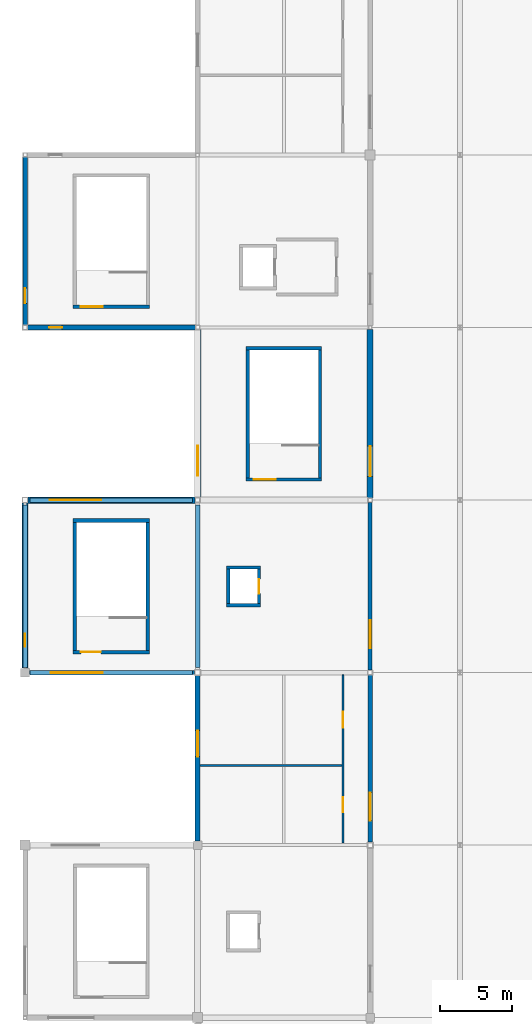
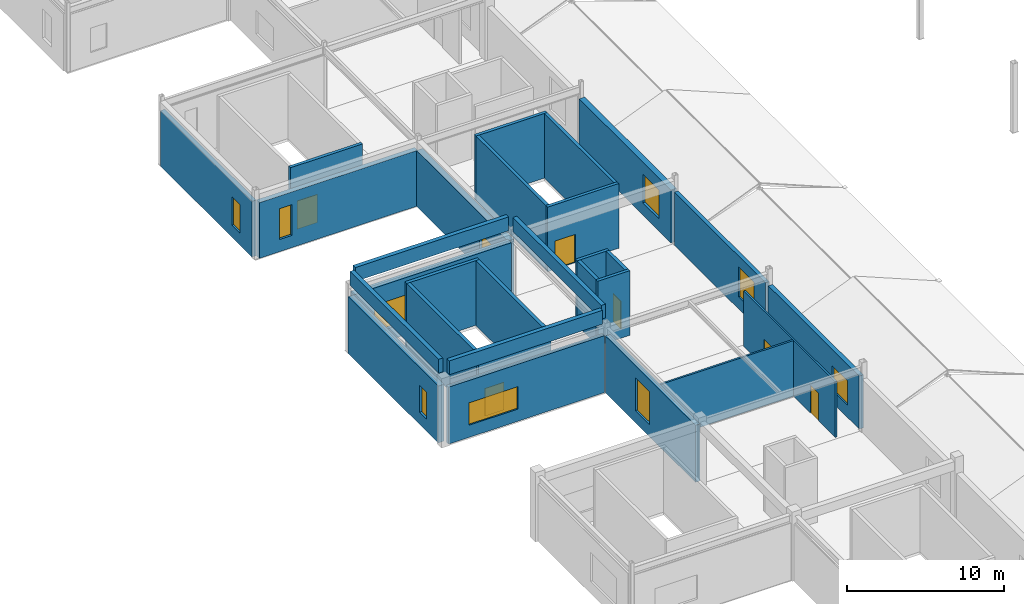
# One storey, part 64 of 76: 29 walls, 10 windows, 6 doors, 16 openings.
"""IFC4 building model written with IfcOpenShell, lengths in metres."""

from ifc_helpers import new_model, si_unit, direction, frame, frame_2d, origin, place, context, subcontext, project, spatial, rectangle, extrude, material, layer, layer_set, type_object, element, fill, save


model = new_model("IFC4")

# Units and contexts
model_context = context("Model", 3, precision=1e-05, world=origin(), true_north=direction((0.0, 1.0)))
body_context = subcontext(model_context, "Body", "Model", "MODEL_VIEW")
ifc_project = project(units=[si_unit("LENGTHUNIT", "METRE"), si_unit("AREAUNIT", "SQUARE_METRE"), si_unit("VOLUMEUNIT", "CUBIC_METRE"), si_unit("PLANEANGLEUNIT", "RADIAN"), si_unit("MASSUNIT", "GRAM", prefix="KILO")], contexts=[model_context])

# Site, building, storey
site_placement = place(None, origin())
site = spatial("IfcSite", under=ifc_project, at=site_placement, CompositionType="ELEMENT")
building_placement = place(site_placement, origin())
building = spatial("IfcBuilding", under=site, at=building_placement, Name="Kazenohara Klinker Stadium", CompositionType="ELEMENT")
storey_placement = place(building_placement, frame((0.0, 0.0, 25.800048828125)))
storey = spatial("IfcBuildingStorey", under=building, at=storey_placement, Name="L05", CompositionType="ELEMENT", Elevation=25.800048828125)

# Wall, opening, door
ifc_material_1 = material(Name="Concrete C40/50", Category="concrete")
ifc_layer_1 = layer(ifc_material_1, 0.22998046875)
ifc_layer_set_1 = layer_set([ifc_layer_1], Name="Concrete C40/50")
wall_type_1 = type_object("IfcWallType", Name="WAL-CORE-230", PredefinedType="SHEAR", material=ifc_layer_set_1)
wall_1_placement = place(storey_placement, frame((3.340087890625, 109.43505859375, 0.0), z_axis=(0.0, 0.0, 1.0), x_axis=(1.0, 0.0, 0.0)))
wall_1 = element("IfcWall", 1, at=wall_1_placement, inside=storey, type_object=wall_type_1, Name="Stairwell shear wall ST04 L05 South", PredefinedType="SHEAR", context=body_context, shape_type="SweptSolid", body=[
    extrude(rectangle(XDim=5.31982421875, YDim=0.22998046875, at=frame_2d((2.659912109375, 0.0))), origin(), (0.0, 0.0, 1.0), 5.0400390625),
])
opening_1_placement = place(wall_1_placement, frame((0.550048828125, 0.0, 0.0)))
opening_1 = element("IfcOpeningElement", 2, at=opening_1_placement, cuts=wall_1, Name="Opening SD02", PredefinedType="OPENING", context=body_context, shape_type="SweptSolid", body=[
    extrude(rectangle(XDim=1.5, YDim=2.199951171875, at=frame_2d((0.75, 1.10009765625))), frame((0.0, 0.125, 0.0), z_axis=(0.0, -1.0, 0.0), x_axis=(1.0, 0.0, 0.0)), (0.0, 0.0, 1.0), 0.25),
])
ifc_material_2 = material(Name="Flush painted steel fire door leaf", Category="steel")
door_type_1 = type_object("IfcDoorType", Name="DR-STR-1500x2200", OperationType="NOTDEFINED", PredefinedType="DOOR", material=ifc_material_2)
door_1_placement = place(opening_1_placement, origin())
door_1 = element("IfcDoor", 3, at=door_1_placement, inside=storey, type_object=door_type_1, Name="Escape stairwell fire door ST04-L05", OperationType="SINGLE_SWING_RIGHT", OverallHeight=2.199951171875, OverallWidth=1.5, PredefinedType="DOOR", context=body_context, shape_type="SweptSolid", body=[
    extrude(rectangle(XDim=1.5, YDim=2.199951171875, at=frame_2d((0.75, 1.10009765625))), frame((0.0, 0.02490234375, 0.0), z_axis=(0.0, -1.0, 0.0), x_axis=(1.0, 0.0, 0.0)), (0.0, 0.0, 1.0), 0.050048828125),
])
fill(opening_1, door_1)

wall_2_placement = place(storey_placement, frame((15.3701171875, 97.43505859375, 0.0), z_axis=(0.0, 0.0, 1.0), x_axis=(1.0, 0.0, 0.0)))
wall_2 = element("IfcWall", 4, at=wall_2_placement, inside=storey, type_object=wall_type_1, Name="Stairwell shear wall ST14 L05 South", PredefinedType="SHEAR", context=body_context, shape_type="SweptSolid", body=[
    extrude(rectangle(XDim=5.259765625, YDim=0.22998046875, at=frame_2d((2.6298828125, 0.0))), origin(), (0.0, 0.0, 1.0), 5.0400390625),
])
opening_2_placement = place(wall_2_placement, frame((0.550048828125, 0.0, 0.0)))
opening_2 = element("IfcOpeningElement", 5, at=opening_2_placement, cuts=wall_2, Name="Opening SD02", PredefinedType="OPENING", context=body_context, shape_type="SweptSolid", body=[
    extrude(rectangle(XDim=1.5, YDim=2.199951171875, at=frame_2d((0.75, 1.10009765625))), frame((0.0, 0.125, 0.0), z_axis=(0.0, -1.0, 0.0), x_axis=(1.0, 0.0, 0.0)), (0.0, 0.0, 1.0), 0.25),
])
door_2_placement = place(opening_2_placement, origin())
door_2 = element("IfcDoor", 6, at=door_2_placement, inside=storey, type_object=door_type_1, Name="Escape stairwell fire door ST14-L05", OperationType="SINGLE_SWING_RIGHT", OverallHeight=2.199951171875, OverallWidth=1.5, PredefinedType="DOOR", context=body_context, shape_type="SweptSolid", body=[
    extrude(rectangle(XDim=1.5, YDim=2.199951171875, at=frame_2d((0.75, 1.10009765625))), frame((0.0, 0.02490234375, 0.0), z_axis=(0.0, -1.0, 0.0), x_axis=(1.0, 0.0, 0.0)), (0.0, 0.0, 1.0), 0.050048828125),
])
fill(opening_2, door_2)

# Walls
wall_3_placement = place(storey_placement, frame((15.3701171875, 106.56494140625, 0.0), z_axis=(0.0, 0.0, 1.0), x_axis=(1.0, 0.0, 0.0)))
element("IfcWall", 7, at=wall_3_placement, inside=storey, type_object=wall_type_1, Name="Stairwell shear wall ST14 L05 North", PredefinedType="SHEAR", context=body_context, shape_type="SweptSolid", body=[
    extrude(rectangle(XDim=5.259765625, YDim=0.22998046875, at=frame_2d((2.6298828125, 0.0))), origin(), (0.0, 0.0, 1.0), 5.0400390625),
])
for number, where, z_axis, x_axis, name in (
    (8, (15.485107421875, 97.550048828125, 0.0), (0.0, 0.0, 1.0), (0.0, 1.0, 0.0), "Stairwell shear wall ST14 L05 West"),
    (9, (20.514892578125, 97.550048828125, 0.0), (0.0, 0.0, 1.0), (0.0, 1.0, 0.0), "Stairwell shear wall ST14 L05 East"),
):
    element("IfcWall", number, at=place(storey_placement, frame(where, z_axis=z_axis, x_axis=x_axis)), inside=storey, type_object=wall_type_1, Name=name, PredefinedType="SHEAR", context=body_context, shape_type="SweptSolid", body=[
        extrude(rectangle(XDim=8.89990234375, YDim=0.22998046875, at=frame_2d((4.449951171875, 0.0))), origin(), (0.0, 0.0, 1.0), 5.0400390625),
    ])
for number, where, z_axis, x_axis, name in (
    (10, (14.02001953125, 88.68505859375, 0.0), (0.0, 0.0, 1.0), (1.0, 0.0, 0.0), "Elevator shaft wall LP02 L05 South"),
    (11, (14.02001953125, 91.31494140625, 0.0), (0.0, 0.0, 1.0), (1.0, 0.0, 0.0), "Elevator shaft wall LP02 L05 North"),
):
    element("IfcWall", number, at=place(storey_placement, frame(where, z_axis=z_axis, x_axis=x_axis)), inside=storey, type_object=wall_type_1, Name=name, PredefinedType="SHEAR", context=body_context, shape_type="SweptSolid", body=[
        extrude(rectangle(XDim=2.35986328125, YDim=0.22998046875, at=frame_2d((1.179931640625, 0.0))), origin(), (0.0, 0.0, 1.0), 5.0400390625),
    ])
wall_4_placement = place(storey_placement, frame((14.135009765625, 88.800048828125, 0.0), z_axis=(0.0, 0.0, 1.0), x_axis=(0.0, 1.0, 0.0)))
element("IfcWall", 12, at=wall_4_placement, inside=storey, type_object=wall_type_1, Name="Elevator shaft wall LP02 L05 West", PredefinedType="SHEAR", context=body_context, shape_type="SweptSolid", body=[
    extrude(rectangle(XDim=2.39990234375, YDim=0.22998046875, at=frame_2d((1.199951171875, 0.0))), origin(), (0.0, 0.0, 1.0), 5.0400390625),
])

# Wall, opening, door
wall_5_placement = place(storey_placement, frame((16.264892578125, 88.800048828125, 0.0), z_axis=(0.0, 0.0, 1.0), x_axis=(0.0, 1.0, 0.0)))
wall_5 = element("IfcWall", 13, at=wall_5_placement, inside=storey, type_object=wall_type_1, Name="Elevator shaft wall LP02 L05 East", PredefinedType="SHEAR", context=body_context, shape_type="SweptSolid", body=[
    extrude(rectangle(XDim=2.39990234375, YDim=0.22998046875, at=frame_2d((1.199951171875, 0.0))), origin(), (0.0, 0.0, 1.0), 5.0400390625),
])
opening_3_placement = place(wall_5_placement, frame((0.699951171875, 0.0, 0.0)))
opening_3 = element("IfcOpeningElement", 14, at=opening_3_placement, cuts=wall_5, Name="Opening LD02", PredefinedType="OPENING", context=body_context, shape_type="SweptSolid", body=[
    extrude(rectangle(XDim=1.0, YDim=2.14990234375, at=frame_2d((0.5, 1.074951171875))), frame((0.0, 0.125, 0.0), z_axis=(0.0, -1.0, 0.0), x_axis=(1.0, 0.0, 0.0)), (0.0, 0.0, 1.0), 0.25),
])
ifc_material_3 = material(Name="Stainless steel sliding landing door", Category="steel")
door_type_2 = type_object("IfcDoorType", Name="DR-LD02-1000x2150", OperationType="NOTDEFINED", PredefinedType="DOOR", material=ifc_material_3)
door_3_placement = place(opening_3_placement, origin())
door_3 = element("IfcDoor", 15, at=door_3_placement, inside=storey, type_object=door_type_2, Name="Elevator sliding landing door LP02-L05", OperationType="DOUBLE_DOOR_SLIDING", OverallHeight=2.14990234375, OverallWidth=1.0, PredefinedType="DOOR", context=body_context, shape_type="SweptSolid", body=[
    extrude(rectangle(XDim=1.0, YDim=2.14990234375, at=frame_2d((0.5, 1.074951171875))), frame((0.0, 0.02490234375, 0.0), z_axis=(0.0, -1.0, 0.0), x_axis=(1.0, 0.0, 0.0)), (0.0, 0.0, 1.0), 0.050048828125),
])
fill(opening_3, door_3)

ifc_layer_2 = layer(ifc_material_1, 0.25)
ifc_layer_set_2 = layer_set([ifc_layer_2], Name="Concrete C40/50")
wall_type_2 = type_object("IfcWallType", Name="WAL-CORE-250", PredefinedType="SHEAR", material=ifc_layer_set_2)
wall_6_placement = place(storey_placement, frame((3.330078125, 85.425048828125, 0.0), z_axis=(0.0, 0.0, 1.0), x_axis=(1.0, 0.0, 0.0)))
wall_6 = element("IfcWall", 16, at=wall_6_placement, inside=storey, type_object=wall_type_2, Name="Stairwell shear wall ST03 L05 South", PredefinedType="SHEAR", context=body_context, shape_type="SweptSolid", body=[
    extrude(rectangle(XDim=5.33984375, YDim=0.25, at=frame_2d((2.669921875, 0.0))), origin(), (0.0, 0.0, 1.0), 5.0400390625),
])
opening_4_placement = place(wall_6_placement, frame((0.550048828125, 0.0, 0.0)))
opening_4 = element("IfcOpeningElement", 17, at=opening_4_placement, cuts=wall_6, Name="Opening SD01", PredefinedType="OPENING", context=body_context, shape_type="SweptSolid", body=[
    extrude(rectangle(XDim=1.39990234375, YDim=2.14990234375, at=frame_2d((0.699951171875, 1.074951171875))), frame((0.0, 0.135009765625, 0.0), z_axis=(0.0, -1.0, 0.0), x_axis=(1.0, 0.0, 0.0)), (0.0, 0.0, 1.0), 0.27001953125),
])
door_type_3 = type_object("IfcDoorType", Name="DR-STR-1400x2150", OperationType="NOTDEFINED", PredefinedType="DOOR", material=ifc_material_2)
door_4_placement = place(opening_4_placement, origin())
door_4 = element("IfcDoor", 18, at=door_4_placement, inside=storey, type_object=door_type_3, Name="Escape stairwell fire door ST03-L05", OperationType="SINGLE_SWING_LEFT", OverallHeight=2.14990234375, OverallWidth=1.39990234375, PredefinedType="DOOR", context=body_context, shape_type="SweptSolid", body=[
    extrude(rectangle(XDim=1.39990234375, YDim=2.14990234375, at=frame_2d((0.699951171875, 1.074951171875))), frame((0.0, 0.02490234375, 0.0), z_axis=(0.0, -1.0, 0.0), x_axis=(1.0, 0.0, 0.0)), (0.0, 0.0, 1.0), 0.050048828125),
])
fill(opening_4, door_4)

# Walls
wall_7_placement = place(storey_placement, frame((3.330078125, 94.574951171875, 0.0), z_axis=(0.0, 0.0, 1.0), x_axis=(1.0, 0.0, 0.0)))
element("IfcWall", 19, at=wall_7_placement, inside=storey, type_object=wall_type_2, Name="Stairwell shear wall ST03 L05 North", PredefinedType="SHEAR", context=body_context, shape_type="SweptSolid", body=[
    extrude(rectangle(XDim=5.33984375, YDim=0.25, at=frame_2d((2.669921875, 0.0))), origin(), (0.0, 0.0, 1.0), 5.0400390625),
])
for number, where, z_axis, x_axis, name in (
    (20, (3.455078125, 85.550048828125, 0.0), (0.0, 0.0, 1.0), (0.0, 1.0, 0.0), "Stairwell shear wall ST03 L05 West"),
    (21, (8.544921875, 85.550048828125, 0.0), (0.0, 0.0, 1.0), (0.0, 1.0, 0.0), "Stairwell shear wall ST03 L05 East"),
):
    element("IfcWall", number, at=place(storey_placement, frame(where, z_axis=z_axis, x_axis=x_axis)), inside=storey, type_object=wall_type_2, Name=name, PredefinedType="SHEAR", context=body_context, shape_type="SweptSolid", body=[
        extrude(rectangle(XDim=8.89990234375, YDim=0.25, at=frame_2d((4.449951171875, 0.0))), origin(), (0.0, 0.0, 1.0), 5.0400390625),
    ])

# Wall, opening, window
ifc_material_4 = material(Name="Clinker brick masonry", Category="masonry")
ifc_layer_3 = layer(ifc_material_4, 0.280029296875)
ifc_layer_set_3 = layer_set([ifc_layer_3], Name="Clinker brick masonry")
wall_type_3 = type_object("IfcWallType", Name="WAL-EXT-CB280", PredefinedType="SOLIDWALL", material=ifc_layer_set_3)
wall_8_placement = place(storey_placement, frame((0.303955078125, 84.0, 0.0), z_axis=(0.0, 0.0, 1.0), x_axis=(1.0, 0.0, 0.0)))
wall_8 = element("IfcWall", 22, at=wall_8_placement, inside=storey, type_object=wall_type_3, Name="Clinker brick cavity wall EW06 L05 X0-7", PredefinedType="SOLIDWALL", context=body_context, shape_type="SweptSolid", body=[
    extrude(rectangle(XDim=11.491943359375, YDim=0.280029296875, at=frame_2d((5.74609375, 0.0))), origin(), (0.0, 0.0, 1.0), 4.43994140625),
])
opening_5_placement = place(wall_8_placement, frame((1.5, 0.0, 0.949951171875)))
opening_5 = element("IfcOpeningElement", 23, at=opening_5_placement, cuts=wall_8, Name="Opening W35", PredefinedType="OPENING", context=body_context, shape_type="SweptSolid", body=[
    extrude(rectangle(XDim=3.60009765625, YDim=1.75, at=frame_2d((1.800048828125, 0.875))), frame((0.0, 0.14990234375, 0.0), z_axis=(0.0, -1.0, 0.0), x_axis=(1.0, 0.0, 0.0)), (0.0, 0.0, 1.0), 0.300048828125),
])
ifc_material_5 = material(Name="Dark bronze aluminium frame and triple glazing", Category="aluminium")
window_type_1 = type_object("IfcWindowType", Name="WIN-AS-35", PartitioningType="SINGLE_PANEL", PredefinedType="WINDOW", material=ifc_material_5)
window_1_placement = place(opening_5_placement, origin())
window_1 = element("IfcWindow", 24, at=window_1_placement, inside=storey, type_object=window_type_1, Name="Horizontal-mullion ladder window W35 L05 X0-7", OverallHeight=1.75, OverallWidth=3.60009765625, PartitioningType="SINGLE_PANEL", PredefinedType="WINDOW", context=body_context, shape_type="SweptSolid", body=[
    extrude(rectangle(XDim=3.60009765625, YDim=1.75, at=frame_2d((1.800048828125, 0.875))), frame((0.0, 0.030029296875, 0.0), z_axis=(0.0, -1.0, 0.0), x_axis=(1.0, 0.0, 0.0)), (0.0, 0.0, 1.0), 0.06005859375),
])
fill(opening_5, window_1)

wall_9_placement = place(storey_placement, frame((24.0, 84.178955078125, 0.0), z_axis=(0.0, 0.0, 1.0), x_axis=(0.0, 1.0, 0.0)))
wall_9 = element("IfcWall", 25, at=wall_9_placement, inside=storey, type_object=wall_type_3, Name="Clinker brick cavity wall EW06 L05 Y2-7", PredefinedType="SOLIDWALL", context=body_context, shape_type="SweptSolid", body=[
    extrude(rectangle(XDim=11.6669921875, YDim=0.280029296875, at=frame_2d((5.83349609375, 0.0))), origin(), (0.0, 0.0, 1.0), 4.1298828125),
])
opening_6_placement = place(wall_9_placement, frame((1.5, 0.0, 0.949951171875)))
opening_6 = element("IfcOpeningElement", 26, at=opening_6_placement, cuts=wall_9, Name="Opening W17", PredefinedType="OPENING", context=body_context, shape_type="SweptSolid", body=[
    extrude(rectangle(XDim=1.949951171875, YDim=2.35009765625, at=frame_2d((0.97509765625, 1.175048828125))), frame((0.0, 0.14990234375, 0.0), z_axis=(0.0, -1.0, 0.0), x_axis=(1.0, 0.0, 0.0)), (0.0, 0.0, 1.0), 0.300048828125),
])
window_type_2 = type_object("IfcWindowType", Name="WIN-AS-17", PartitioningType="SINGLE_PANEL", PredefinedType="WINDOW", material=ifc_material_5)
window_2_placement = place(opening_6_placement, origin())
window_2 = element("IfcWindow", 27, at=window_2_placement, inside=storey, type_object=window_type_2, Name="Horizontal-mullion ladder window W17 L05 Y2-7", OverallHeight=2.35009765625, OverallWidth=1.949951171875, PartitioningType="SINGLE_PANEL", PredefinedType="WINDOW", context=body_context, shape_type="SweptSolid", body=[
    extrude(rectangle(XDim=1.949951171875, YDim=2.35009765625, at=frame_2d((0.97509765625, 1.175048828125))), frame((0.0, 0.030029296875, 0.0), z_axis=(0.0, -1.0, 0.0), x_axis=(1.0, 0.0, 0.0)), (0.0, 0.0, 1.0), 0.06005859375),
])
fill(opening_6, window_2)

ifc_layer_4 = layer(ifc_material_4, 0.31005859375)
ifc_layer_set_4 = layer_set([ifc_layer_4], Name="Clinker brick masonry")
wall_type_4 = type_object("IfcWallType", Name="WAL-EXT-CB310", PredefinedType="SOLIDWALL", material=ifc_layer_set_4)
wall_10_placement = place(storey_placement, frame((0.0, 108.178955078125, 0.0), z_axis=(0.0, 0.0, 1.0), x_axis=(0.0, 1.0, 0.0)))
wall_10 = element("IfcWall", 28, at=wall_10_placement, inside=storey, type_object=wall_type_4, Name="Clinker brick cavity wall EW05 L05 Y0-9", PredefinedType="SOLIDWALL", context=body_context, shape_type="SweptSolid", body=[
    extrude(rectangle(XDim=11.6669921875, YDim=0.31005859375, at=frame_2d((5.83349609375, 0.0))), origin(), (0.0, 0.0, 1.0), 4.33984375),
])
opening_7_placement = place(wall_10_placement, frame((1.5, 0.0, 0.949951171875)))
opening_7 = element("IfcOpeningElement", 29, at=opening_7_placement, cuts=wall_10, Name="Opening W04", PredefinedType="OPENING", context=body_context, shape_type="SweptSolid", body=[
    extrude(rectangle(XDim=1.050048828125, YDim=2.199951171875, at=frame_2d((0.52490234375, 1.10009765625))), frame((0.0, 0.1650390625, 0.0), z_axis=(0.0, -1.0, 0.0), x_axis=(1.0, 0.0, 0.0)), (0.0, 0.0, 1.0), 0.330078125),
])
window_type_3 = type_object("IfcWindowType", Name="WIN-AS-04", PartitioningType="SINGLE_PANEL", PredefinedType="WINDOW", material=ifc_material_5)
window_3_placement = place(opening_7_placement, origin())
window_3 = element("IfcWindow", 30, at=window_3_placement, inside=storey, type_object=window_type_3, Name="Horizontal-mullion ladder window W04 L05 Y0-9", OverallHeight=2.199951171875, OverallWidth=1.050048828125, PartitioningType="SINGLE_PANEL", PredefinedType="WINDOW", context=body_context, shape_type="SweptSolid", body=[
    extrude(rectangle(XDim=1.050048828125, YDim=2.199951171875, at=frame_2d((0.52490234375, 1.10009765625))), frame((0.0, 0.030029296875, 0.0), z_axis=(0.0, -1.0, 0.0), x_axis=(1.0, 0.0, 0.0)), (0.0, 0.0, 1.0), 0.06005859375),
])
fill(opening_7, window_3)

wall_11_placement = place(storey_placement, frame((24.0, 72.2041015625, 0.0), z_axis=(0.0, 0.0, 1.0), x_axis=(0.0, 1.0, 0.0)))
wall_11 = element("IfcWall", 31, at=wall_11_placement, inside=storey, type_object=wall_type_4, Name="Clinker brick cavity wall EW05 L05 Y2-6", PredefinedType="SOLIDWALL", context=body_context, shape_type="SweptSolid", body=[
    extrude(rectangle(XDim=11.616943359375, YDim=0.31005859375, at=frame_2d((5.80859375, 0.0))), origin(), (0.0, 0.0, 1.0), 4.1298828125),
])
opening_8_placement = place(wall_11_placement, frame((1.5, 0.0, 0.949951171875)))
opening_8 = element("IfcOpeningElement", 32, at=opening_8_placement, cuts=wall_11, Name="Opening W16", PredefinedType="OPENING", context=body_context, shape_type="SweptSolid", body=[
    extrude(rectangle(XDim=1.949951171875, YDim=1.89990234375, at=frame_2d((0.97509765625, 0.949951171875))), frame((0.0, 0.1650390625, 0.0), z_axis=(0.0, -1.0, 0.0), x_axis=(1.0, 0.0, 0.0)), (0.0, 0.0, 1.0), 0.330078125),
])
window_type_4 = type_object("IfcWindowType", Name="WIN-AS-16", PartitioningType="SINGLE_PANEL", PredefinedType="WINDOW", material=ifc_material_5)
window_4_placement = place(opening_8_placement, origin())
window_4 = element("IfcWindow", 33, at=window_4_placement, inside=storey, type_object=window_type_4, Name="Horizontal-mullion ladder window W16 L05 Y2-6", OverallHeight=1.89990234375, OverallWidth=1.949951171875, PartitioningType="SINGLE_PANEL", PredefinedType="WINDOW", context=body_context, shape_type="SweptSolid", body=[
    extrude(rectangle(XDim=1.949951171875, YDim=1.89990234375, at=frame_2d((0.97509765625, 0.949951171875))), frame((0.0, 0.030029296875, 0.0), z_axis=(0.0, -1.0, 0.0), x_axis=(1.0, 0.0, 0.0)), (0.0, 0.0, 1.0), 0.06005859375),
])
fill(opening_8, window_4)

# Walls
for number, where, z_axis, x_axis, name in (
    (34, (0.35009765625, 84.0, 5.39990234375), (0.0, 0.0, 1.0), (1.0, 0.0, 0.0), "Turret crown klinker wall EW05 WPAV-07-S"),
    (35, (0.35009765625, 96.0, 5.39990234375), (0.0, 0.0, 1.0), (1.0, 0.0, 0.0), "Turret crown klinker wall EW05 WPAV-07-N"),
    (36, (0.0, 84.35009765625, 5.39990234375), (0.0, 0.0, 1.0), (0.0, 1.0, 0.0), "Turret crown klinker wall EW05 WPAV-07-W"),
    (37, (12.0, 84.35009765625, 5.39990234375), (0.0, 0.0, 1.0), (0.0, 1.0, 0.0), "Turret crown klinker wall EW05 WPAV-07-E"),
):
    element("IfcWall", number, at=place(storey_placement, frame(where, z_axis=z_axis, x_axis=x_axis)), inside=storey, type_object=wall_type_4, Name=name, PredefinedType="SOLIDWALL", context=body_context, shape_type="SweptSolid", body=[
        extrude(rectangle(XDim=11.2998046875, YDim=0.31005859375, at=frame_2d((5.64990234375, 0.0))), origin(), (0.0, 0.0, 1.0), 1.080078125),
    ])

# Wall, opening, window
ifc_layer_5 = layer(ifc_material_4, 0.340087890625)
ifc_layer_set_5 = layer_set([ifc_layer_5], Name="Clinker brick masonry")
wall_type_5 = type_object("IfcWallType", Name="WAL-EXT-CB340", PredefinedType="SOLIDWALL", material=ifc_layer_set_5)
wall_12_placement = place(storey_placement, frame((12.0, 72.303955078125, 0.0), z_axis=(0.0, 0.0, 1.0), x_axis=(0.0, 1.0, 0.0)))
wall_12 = element("IfcWall", 38, at=wall_12_placement, inside=storey, type_object=wall_type_5, Name="Clinker brick cavity wall EW04 L05 Y1-6", PredefinedType="SOLIDWALL", context=body_context, shape_type="SweptSolid", body=[
    extrude(rectangle(XDim=11.491943359375, YDim=0.340087890625, at=frame_2d((5.74609375, 0.0))), origin(), (0.0, 0.0, 1.0), 4.43994140625),
])
opening_9_placement = place(wall_12_placement, frame((5.85888671875, 0.0, 0.949951171875)))
opening_9 = element("IfcOpeningElement", 39, at=opening_9_placement, cuts=wall_12, Name="Opening W15", PredefinedType="OPENING", context=body_context, shape_type="SweptSolid", body=[
    extrude(rectangle(XDim=1.800048828125, YDim=2.550048828125, at=frame_2d((0.89990234375, 1.27490234375))), frame((0.0, 0.18017578125, 0.0), z_axis=(0.0, -1.0, 0.0), x_axis=(1.0, 0.0, 0.0)), (0.0, 0.0, 1.0), 0.360107421875),
])
window_type_5 = type_object("IfcWindowType", Name="WIN-AS-15", PartitioningType="SINGLE_PANEL", PredefinedType="WINDOW", material=ifc_material_5)
window_5_placement = place(opening_9_placement, origin())
window_5 = element("IfcWindow", 40, at=window_5_placement, inside=storey, type_object=window_type_5, Name="Horizontal-mullion ladder window W15 L05 Y1-6", OverallHeight=2.550048828125, OverallWidth=1.800048828125, PartitioningType="SINGLE_PANEL", PredefinedType="WINDOW", context=body_context, shape_type="SweptSolid", body=[
    extrude(rectangle(XDim=1.800048828125, YDim=2.550048828125, at=frame_2d((0.89990234375, 1.27490234375))), frame((0.0, 0.030029296875, 0.0), z_axis=(0.0, -1.0, 0.0), x_axis=(1.0, 0.0, 0.0)), (0.0, 0.0, 1.0), 0.06005859375),
])
fill(opening_9, window_5)

ifc_layer_6 = layer(ifc_material_4, 0.3701171875)
ifc_layer_set_6 = layer_set([ifc_layer_6], Name="Clinker brick masonry")
wall_type_6 = type_object("IfcWallType", Name="WAL-EXT-CB370", PredefinedType="SOLIDWALL", material=ifc_layer_set_6)
wall_13_placement = place(storey_placement, frame((0.178955078125, 108.0, 0.0), z_axis=(0.0, 0.0, 1.0), x_axis=(1.0, 0.0, 0.0)))
wall_13 = element("IfcWall", 41, at=wall_13_placement, inside=storey, type_object=wall_type_6, Name="Clinker brick cavity wall EW03 L05 X0-9", PredefinedType="SOLIDWALL", context=body_context, shape_type="SweptSolid", body=[
    extrude(rectangle(XDim=11.6669921875, YDim=0.3701171875, at=frame_2d((5.83349609375, 0.0))), origin(), (0.0, 0.0, 1.0), 4.33984375),
])
opening_10_placement = place(wall_13_placement, frame((1.5, 0.0, 0.949951171875)))
opening_10 = element("IfcOpeningElement", 42, at=opening_10_placement, cuts=wall_13, Name="Opening W02", PredefinedType="OPENING", context=body_context, shape_type="SweptSolid", body=[
    extrude(rectangle(XDim=0.89990234375, YDim=2.39990234375, at=frame_2d((0.449951171875, 1.199951171875))), frame((0.0, 0.195068359375, 0.0), z_axis=(0.0, -1.0, 0.0), x_axis=(1.0, 0.0, 0.0)), (0.0, 0.0, 1.0), 0.39013671875),
])
window_type_6 = type_object("IfcWindowType", Name="WIN-AS-02", PartitioningType="SINGLE_PANEL", PredefinedType="WINDOW", material=ifc_material_5)
window_6_placement = place(opening_10_placement, origin())
window_6 = element("IfcWindow", 43, at=window_6_placement, inside=storey, type_object=window_type_6, Name="Horizontal-mullion ladder window W02 L05 X0-9", OverallHeight=2.39990234375, OverallWidth=0.89990234375, PartitioningType="SINGLE_PANEL", PredefinedType="WINDOW", context=body_context, shape_type="SweptSolid", body=[
    extrude(rectangle(XDim=0.89990234375, YDim=2.39990234375, at=frame_2d((0.449951171875, 1.199951171875))), frame((0.0, 0.030029296875, 0.0), z_axis=(0.0, -1.0, 0.0), x_axis=(1.0, 0.0, 0.0)), (0.0, 0.0, 1.0), 0.06005859375),
])
fill(opening_10, window_6)

ifc_layer_7 = layer(ifc_material_4, 0.409912109375)
ifc_layer_set_7 = layer_set([ifc_layer_7], Name="Clinker brick masonry")
wall_type_7 = type_object("IfcWallType", Name="WAL-EXT-CB410", PredefinedType="SOLIDWALL", material=ifc_layer_set_7)
wall_14_placement = place(storey_placement, frame((0.0, 84.303955078125, 0.0), z_axis=(0.0, 0.0, 1.0), x_axis=(0.0, 1.0, 0.0)))
wall_14 = element("IfcWall", 44, at=wall_14_placement, inside=storey, type_object=wall_type_7, Name="Clinker brick cavity wall EW02 L05 Y0-7", PredefinedType="SOLIDWALL", context=body_context, shape_type="SweptSolid", body=[
    extrude(rectangle(XDim=11.491943359375, YDim=0.409912109375, at=frame_2d((5.74609375, 0.0))), origin(), (0.0, 0.0, 1.0), 4.43994140625),
])
opening_11_placement = place(wall_14_placement, frame((1.5, 0.0, 0.949951171875)))
opening_11 = element("IfcOpeningElement", 45, at=opening_11_placement, cuts=wall_14, Name="Opening W01", PredefinedType="OPENING", context=body_context, shape_type="SweptSolid", body=[
    extrude(rectangle(XDim=0.89990234375, YDim=2.10009765625, at=frame_2d((0.449951171875, 1.050048828125))), frame((0.0, 0.21484375, 0.0), z_axis=(0.0, -1.0, 0.0), x_axis=(1.0, 0.0, 0.0)), (0.0, 0.0, 1.0), 0.429931640625),
])
window_type_7 = type_object("IfcWindowType", Name="WIN-AS-01", PartitioningType="SINGLE_PANEL", PredefinedType="WINDOW", material=ifc_material_5)
window_7_placement = place(opening_11_placement, origin())
window_7 = element("IfcWindow", 46, at=window_7_placement, inside=storey, type_object=window_type_7, Name="Horizontal-mullion ladder window W01 L05 Y0-7", OverallHeight=2.10009765625, OverallWidth=0.89990234375, PartitioningType="SINGLE_PANEL", PredefinedType="WINDOW", context=body_context, shape_type="SweptSolid", body=[
    extrude(rectangle(XDim=0.89990234375, YDim=2.10009765625, at=frame_2d((0.449951171875, 1.050048828125))), frame((0.0, 0.030029296875, 0.0), z_axis=(0.0, -1.0, 0.0), x_axis=(1.0, 0.0, 0.0)), (0.0, 0.0, 1.0), 0.06005859375),
])
fill(opening_11, window_7)

wall_15_placement = place(storey_placement, frame((24.0, 96.154052734375, 0.0), z_axis=(0.0, 0.0, 1.0), x_axis=(0.0, 1.0, 0.0)))
wall_15 = element("IfcWall", 47, at=wall_15_placement, inside=storey, type_object=wall_type_7, Name="Clinker brick cavity wall EW02 L05 Y2-8", PredefinedType="SOLIDWALL", context=body_context, shape_type="SweptSolid", body=[
    extrude(rectangle(XDim=11.717041015625, YDim=0.409912109375, at=frame_2d((5.8583984375, 0.0))), origin(), (0.0, 0.0, 1.0), 4.1298828125),
])
opening_12_placement = place(wall_15_placement, frame((1.5, 0.0, 0.949951171875)))
opening_12 = element("IfcOpeningElement", 48, at=opening_12_placement, cuts=wall_15, Name="Opening W19", PredefinedType="OPENING", context=body_context, shape_type="SweptSolid", body=[
    extrude(rectangle(XDim=2.10009765625, YDim=2.25, at=frame_2d((1.050048828125, 1.125))), frame((0.0, 0.21484375, 0.0), z_axis=(0.0, -1.0, 0.0), x_axis=(1.0, 0.0, 0.0)), (0.0, 0.0, 1.0), 0.429931640625),
])
window_type_8 = type_object("IfcWindowType", Name="WIN-AS-19", PartitioningType="SINGLE_PANEL", PredefinedType="WINDOW", material=ifc_material_5)
window_8_placement = place(opening_12_placement, origin())
window_8 = element("IfcWindow", 49, at=window_8_placement, inside=storey, type_object=window_type_8, Name="Horizontal-mullion ladder window W19 L05 Y2-8", OverallHeight=2.25, OverallWidth=2.10009765625, PartitioningType="SINGLE_PANEL", PredefinedType="WINDOW", context=body_context, shape_type="SweptSolid", body=[
    extrude(rectangle(XDim=2.10009765625, YDim=2.25, at=frame_2d((1.050048828125, 1.125))), frame((0.0, 0.030029296875, 0.0), z_axis=(0.0, -1.0, 0.0), x_axis=(1.0, 0.0, 0.0)), (0.0, 0.0, 1.0), 0.06005859375),
])
fill(opening_12, window_8)

ifc_layer_8 = layer(ifc_material_4, 0.449951171875)
ifc_layer_set_8 = layer_set([ifc_layer_8], Name="Clinker brick masonry")
wall_type_8 = type_object("IfcWallType", Name="WAL-EXT-CB450", PredefinedType="SOLIDWALL", material=ifc_layer_set_8)
wall_16_placement = place(storey_placement, frame((0.2041015625, 96.0, 0.0), z_axis=(0.0, 0.0, 1.0), x_axis=(1.0, 0.0, 0.0)))
wall_16 = element("IfcWall", 50, at=wall_16_placement, inside=storey, type_object=wall_type_8, Name="Clinker brick cavity wall EW01 L05 X0-8", PredefinedType="SOLIDWALL", context=body_context, shape_type="SweptSolid", body=[
    extrude(rectangle(XDim=11.616943359375, YDim=0.449951171875, at=frame_2d((5.80859375, 0.0))), origin(), (0.0, 0.0, 1.0), 4.451904296875),
])
opening_13_placement = place(wall_16_placement, frame((1.5, 0.0, 0.949951171875)))
opening_13 = element("IfcOpeningElement", 51, at=opening_13_placement, cuts=wall_16, Name="Opening W36", PredefinedType="OPENING", context=body_context, shape_type="SweptSolid", body=[
    extrude(rectangle(XDim=3.60009765625, YDim=2.14990234375, at=frame_2d((1.800048828125, 1.074951171875))), frame((0.0, 0.23486328125, 0.0), z_axis=(0.0, -1.0, 0.0), x_axis=(1.0, 0.0, 0.0)), (0.0, 0.0, 1.0), 0.469970703125),
])
window_type_9 = type_object("IfcWindowType", Name="WIN-AS-36", PartitioningType="SINGLE_PANEL", PredefinedType="WINDOW", material=ifc_material_5)
window_9_placement = place(opening_13_placement, origin())
window_9 = element("IfcWindow", 52, at=window_9_placement, inside=storey, type_object=window_type_9, Name="Horizontal-mullion ladder window W36 L05 X0-8", OverallHeight=2.14990234375, OverallWidth=3.60009765625, PartitioningType="SINGLE_PANEL", PredefinedType="WINDOW", context=body_context, shape_type="SweptSolid", body=[
    extrude(rectangle(XDim=3.60009765625, YDim=2.14990234375, at=frame_2d((1.800048828125, 1.074951171875))), frame((0.0, 0.030029296875, 0.0), z_axis=(0.0, -1.0, 0.0), x_axis=(1.0, 0.0, 0.0)), (0.0, 0.0, 1.0), 0.06005859375),
])
fill(opening_13, window_9)

wall_17_placement = place(storey_placement, frame((12.0, 96.178955078125, 0.0), z_axis=(0.0, 0.0, 1.0), x_axis=(0.0, 1.0, 0.0)))
wall_17 = element("IfcWall", 53, at=wall_17_placement, inside=storey, type_object=wall_type_8, Name="Clinker brick cavity wall EW01 L05 Y1-8", PredefinedType="SOLIDWALL", context=body_context, shape_type="SweptSolid", body=[
    extrude(rectangle(XDim=11.6669921875, YDim=0.449951171875, at=frame_2d((5.83349609375, 0.0))), origin(), (0.0, 0.0, 1.0), 4.33984375),
])
opening_14_placement = place(wall_17_placement, frame((1.5, 0.0, 0.949951171875)))
opening_14 = element("IfcOpeningElement", 54, at=opening_14_placement, cuts=wall_17, Name="Opening W18", PredefinedType="OPENING", context=body_context, shape_type="SweptSolid", body=[
    extrude(rectangle(XDim=2.10009765625, YDim=1.85009765625, at=frame_2d((1.050048828125, 0.925048828125))), frame((0.0, 0.23486328125, 0.0), z_axis=(0.0, -1.0, 0.0), x_axis=(1.0, 0.0, 0.0)), (0.0, 0.0, 1.0), 0.469970703125),
])
window_type_10 = type_object("IfcWindowType", Name="WIN-AS-18", PartitioningType="SINGLE_PANEL", PredefinedType="WINDOW", material=ifc_material_5)
window_10_placement = place(opening_14_placement, origin())
window_10 = element("IfcWindow", 55, at=window_10_placement, inside=storey, type_object=window_type_10, Name="Horizontal-mullion ladder window W18 L05 Y1-8", OverallHeight=1.85009765625, OverallWidth=2.10009765625, PartitioningType="SINGLE_PANEL", PredefinedType="WINDOW", context=body_context, shape_type="SweptSolid", body=[
    extrude(rectangle(XDim=2.10009765625, YDim=1.85009765625, at=frame_2d((1.050048828125, 0.925048828125))), frame((0.0, 0.030029296875, 0.0), z_axis=(0.0, -1.0, 0.0), x_axis=(1.0, 0.0, 0.0)), (0.0, 0.0, 1.0), 0.06005859375),
])
fill(opening_14, window_10)

# Wall, openings, doors
ifc_material_6 = material(Name="Fire-rated gypsum board on acoustic studs", Category="gypsum")
ifc_layer_9 = layer(ifc_material_6, 0.1201171875)
ifc_layer_set_9 = layer_set([ifc_layer_9], Name="Fire-rated gypsum board on acoustic studs")
wall_type_9 = type_object("IfcWallType", Name="WAL-INT-P120", PredefinedType="PARTITIONING", material=ifc_layer_set_9)
wall_18_placement = place(storey_placement, frame((22.110107421875, 72.159912109375, 0.0), z_axis=(0.0, 0.0, 1.0), x_axis=(0.0, 1.0, 0.0)))
wall_18 = element("IfcWall", 56, at=wall_18_placement, inside=storey, type_object=wall_type_9, Name="Interior partition wall PT02 SPC-L05-01-06-1-1", PredefinedType="PARTITIONING", context=body_context, shape_type="SweptSolid", body=[
    extrude(rectangle(XDim=11.68017578125, YDim=0.1201171875, at=frame_2d((5.840087890625, 0.0))), origin(), (0.0, 0.0, 1.0), 4.349853515625),
])
opening_15_placement = place(wall_18_placement, frame((2.116455078125, 0.0, 0.0)))
opening_15 = element("IfcOpeningElement", 57, at=opening_15_placement, cuts=wall_18, Name="Opening ID07", PredefinedType="OPENING", context=body_context, shape_type="SweptSolid", body=[
    extrude(rectangle(XDim=1.06005859375, YDim=2.14990234375, at=frame_2d((0.530029296875, 1.074951171875))), frame((0.0, 0.070068359375, 0.0), z_axis=(0.0, -1.0, 0.0), x_axis=(1.0, 0.0, 0.0)), (0.0, 0.0, 1.0), 0.14013671875),
])
opening_16_placement = place(wall_18_placement, frame((8.021484375, 0.0, 0.0)))
opening_16 = element("IfcOpeningElement", 58, at=opening_16_placement, cuts=wall_18, Name="Opening ID08", PredefinedType="OPENING", context=body_context, shape_type="SweptSolid", body=[
    extrude(rectangle(XDim=1.090087890625, YDim=2.159912109375, at=frame_2d((0.544921875, 1.080078125))), frame((0.0, 0.070068359375, 0.0), z_axis=(0.0, -1.0, 0.0), x_axis=(1.0, 0.0, 0.0)), (0.0, 0.0, 1.0), 0.14013671875),
])
ifc_material_7 = material(Name="Solid-core Hokkaido oak fire door", Category="wood")
door_type_4 = type_object("IfcDoorType", Name="DR-INT-07", OperationType="NOTDEFINED", PredefinedType="DOOR", material=ifc_material_7)
door_5_placement = place(opening_15_placement, origin())
door_5 = element("IfcDoor", 59, at=door_5_placement, inside=storey, type_object=door_type_4, Name="Interior door ID07 Written Press Tribune Media Workroom L05-0106A", OperationType="SINGLE_SWING_RIGHT", OverallHeight=2.14990234375, OverallWidth=1.06005859375, PredefinedType="DOOR", context=body_context, shape_type="SweptSolid", body=[
    extrude(rectangle(XDim=1.06005859375, YDim=2.14990234375, at=frame_2d((0.530029296875, 1.074951171875))), frame((0.0, 0.02490234375, 0.0), z_axis=(0.0, -1.0, 0.0), x_axis=(1.0, 0.0, 0.0)), (0.0, 0.0, 1.0), 0.050048828125),
])
fill(opening_15, door_5)
door_type_5 = type_object("IfcDoorType", Name="DR-INT-08", OperationType="NOTDEFINED", PredefinedType="DOOR", material=ifc_material_7)
door_6_placement = place(opening_16_placement, origin())
door_6 = element("IfcDoor", 60, at=door_6_placement, inside=storey, type_object=door_type_5, Name="Interior door ID08 North Scoreboard Video Control Studio L05-0106B", OperationType="SINGLE_SWING_LEFT", OverallHeight=2.159912109375, OverallWidth=1.090087890625, PredefinedType="DOOR", context=body_context, shape_type="SweptSolid", body=[
    extrude(rectangle(XDim=1.090087890625, YDim=2.159912109375, at=frame_2d((0.544921875, 1.080078125))), frame((0.0, 0.02490234375, 0.0), z_axis=(0.0, -1.0, 0.0), x_axis=(1.0, 0.0, 0.0)), (0.0, 0.0, 1.0), 0.050048828125),
])
fill(opening_16, door_6)

# Wall
ifc_layer_10 = layer(ifc_material_6, 0.139892578125)
ifc_layer_set_10 = layer_set([ifc_layer_10], Name="Fire-rated gypsum board on acoustic studs")
wall_type_10 = type_object("IfcWallType", Name="WAL-INT-P140", PredefinedType="PARTITIONING", material=ifc_layer_set_10)
wall_19_placement = place(storey_placement, frame((12.172119140625, 77.53271484375, 0.0), z_axis=(0.0, 0.0, 1.0), x_axis=(1.0, 0.0, 0.0)))
element("IfcWall", 61, at=wall_19_placement, inside=storey, type_object=wall_type_10, Name="Interior partition wall PT03 SPC-L05-01-06-1-2", PredefinedType="PARTITIONING", context=body_context, shape_type="SweptSolid", body=[
    extrude(rectangle(XDim=9.872802734375, YDim=0.139892578125, at=frame_2d((4.9365234375, 0.0))), origin(), (0.0, 0.0, 1.0), 4.349853515625),
])

save(model, "model.ifc")
